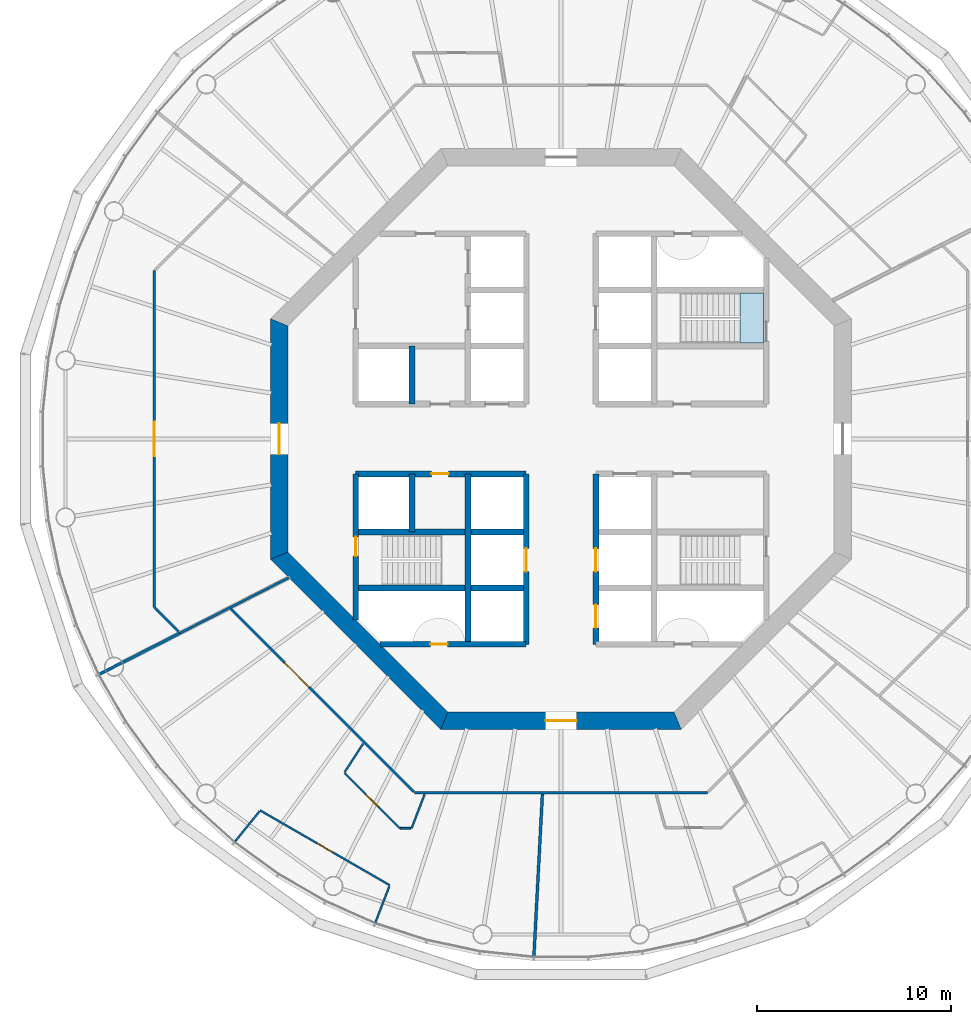
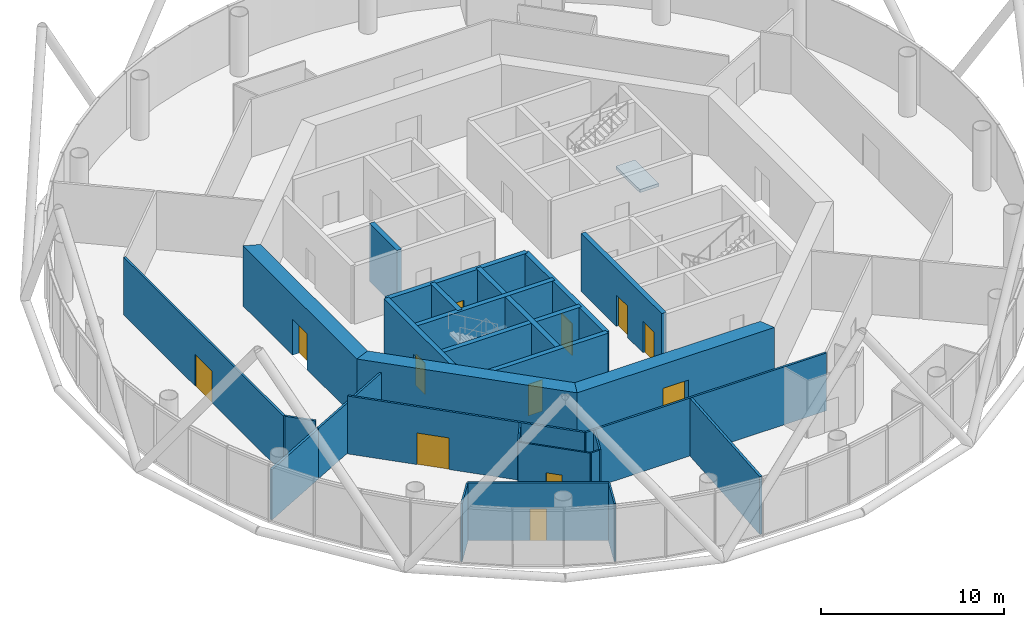
# One storey, part 3 of 13: 27 walls, 12 doors, 1 slab, 12 openings, 1 element without a shape of its own.
"""IFC4 building model written with IfcOpenShell, lengths in metres."""

from ifc_helpers import new_model, si_unit, direction, frame, frame_2d, origin, place, context, subcontext, project, spatial, polyline, rectangle, outline, extrude, material, layer, layer_set, type_object, element, fill, aggregate, save


model = new_model("IFC4")

# Units and contexts
model_context = context("Model", 3, precision=1e-05, world=origin(), true_north=direction((0.0, 1.0)))
body_context = subcontext(model_context, "Body", "Model", "MODEL_VIEW")
ifc_project = project(units=[si_unit("LENGTHUNIT", "METRE"), si_unit("AREAUNIT", "SQUARE_METRE"), si_unit("VOLUMEUNIT", "CUBIC_METRE"), si_unit("PLANEANGLEUNIT", "RADIAN"), si_unit("MASSUNIT", "GRAM", prefix="KILO")], contexts=[model_context])

# Site, building, storey
site_placement = place(None, origin())
site = spatial("IfcSite", under=ifc_project, at=site_placement, CompositionType="ELEMENT")
building_placement = place(site_placement, origin())
building = spatial("IfcBuilding", under=site, at=building_placement, Name="Entoto Ring Tower", CompositionType="ELEMENT")
storey_placement = place(building_placement, frame((0.0, 0.0, 250.0)))
storey = spatial("IfcBuildingStorey", under=building, at=storey_placement, Name="L57", CompositionType="ELEMENT", Elevation=250.0)

# Stair, slab
ifc_material_1 = material(Name="Concrete C40/50", Category="concrete")
stair_type = type_object("IfcStairType", Name="Exit stair 1200 mm dog-leg reinforced concrete", PredefinedType="HALF_TURN_STAIR", material=ifc_material_1)
stair_placement = place(storey_placement, origin())
stair = element("IfcStair", 1, at=stair_placement, inside=storey, type_object=stair_type, Name="Exit stair 1", PredefinedType="HALF_TURN_STAIR")
ifc_material_2 = material(Name="Concrete C40/50", Category="concrete")
ifc_layer_1 = layer(ifc_material_2, 0.199951171875)
ifc_layer_set_1 = layer_set([ifc_layer_1], Name="Concrete C40/50")
slab_type = type_object("IfcSlabType", Name="Stair landing 200 mm reinforced concrete", PredefinedType="LANDING", material=ifc_layer_set_1)
slab_placement = place(storey_placement, frame((0.0, 0.0, -0.199951171875)))
slab = element("IfcSlab", 2, at=slab_placement, type_object=slab_type, Name="ST1 landing 1", PredefinedType="LANDING", context=body_context, shape_type="SweptSolid", body=[
    extrude(outline(polyline([(100.449951171875, 84.949951171875), (100.449951171875, 87.550048828125), (99.25, 87.550048828125), (99.25, 84.949951171875), (100.449951171875, 84.949951171875)])), origin(), (0.0, 0.0, 1.0), 0.199951171875),
])
aggregate(stair, [slab])

# Wall, openings, doors
ifc_material_3 = material(Name="Concrete C40/50", Category="concrete")
ifc_layer_2 = layer(ifc_material_3, 0.300048828125)
ifc_layer_set_2 = layer_set([ifc_layer_2], Name="Concrete C40/50")
wall_type_1 = type_object("IfcWallType", Name="Core enclosure wall 300 mm reinforced concrete", PredefinedType="SOLIDWALL", material=ifc_layer_set_2)
wall_1_placement = place(storey_placement, frame((91.800048828125, 69.39990234375, 0.0), z_axis=(0.0, 0.0, 1.0), x_axis=(0.0, 1.0, 0.0)))
wall_1 = element("IfcWall", 3, at=wall_1_placement, inside=storey, type_object=wall_type_1, Name="wall-L57-005", PredefinedType="SOLIDWALL", context=body_context, shape_type="SweptSolid", body=[
    extrude(rectangle(XDim=8.800048828125, YDim=0.300048828125, at=frame_2d((4.39990234375, 0.0))), origin(), (0.0, 0.0, 1.0), 3.85009765625),
])
opening_1_placement = place(wall_1_placement, frame((3.75, 0.0, 0.0)))
opening_1 = element("IfcOpeningElement", 4, at=opening_1_placement, cuts=wall_1, Name="Opening LD", PredefinedType="OPENING", context=body_context, shape_type="SweptSolid", body=[
    extrude(rectangle(XDim=1.199951171875, YDim=2.10009765625, at=frame_2d((0.60009765625, 1.050048828125))), frame((0.0, 0.16015625, 0.0), z_axis=(0.0, -1.0, 0.0), x_axis=(1.0, 0.0, 0.0)), (0.0, 0.0, 1.0), 0.320068359375),
])
opening_2_placement = place(wall_1_placement, frame((0.85009765625, 0.0, 0.0)))
opening_2 = element("IfcOpeningElement", 5, at=opening_2_placement, cuts=wall_1, Name="Opening LD", PredefinedType="OPENING", context=body_context, shape_type="SweptSolid", body=[
    extrude(rectangle(XDim=1.199951171875, YDim=2.10009765625, at=frame_2d((0.60009765625, 1.050048828125))), frame((0.0, 0.16015625, 0.0), z_axis=(0.0, -1.0, 0.0), x_axis=(1.0, 0.0, 0.0)), (0.0, 0.0, 1.0), 0.320068359375),
])
ifc_material_4 = material(Name="Steel and glass door leaf", Category="steel")
ifc_layer_3 = layer(ifc_material_4, 0.050048828125)
ifc_layer_set_3 = layer_set([ifc_layer_3], Name="Steel and glass door leaf")
door_type_1 = type_object("IfcDoorType", Name="Landing door 1200 x 2100 sliding", OperationType="DOUBLE_DOOR_SLIDING", PredefinedType="DOOR", material=ifc_layer_set_3)
door_1_placement = place(opening_1_placement, origin())
door_1 = element("IfcDoor", 6, at=door_1_placement, inside=storey, type_object=door_type_1, Name="Landing door LB2-MR", OperationType="SLIDING_TO_RIGHT", OverallHeight=2.10009765625, OverallWidth=1.199951171875, PredefinedType="DOOR", context=body_context, shape_type="SweptSolid", body=[
    extrude(rectangle(XDim=1.199951171875, YDim=2.10009765625, at=frame_2d((0.60009765625, 1.050048828125))), frame((0.0, 0.02490234375, 0.0), z_axis=(0.0, -1.0, 0.0), x_axis=(1.0, 0.0, 0.0)), (0.0, 0.0, 1.0), 0.050048828125),
])
fill(opening_1, door_1)
door_2_placement = place(opening_2_placement, origin())
door_2 = element("IfcDoor", 7, at=door_2_placement, inside=storey, type_object=door_type_1, Name="Landing door LB3-MR", OperationType="SLIDING_TO_RIGHT", OverallHeight=2.10009765625, OverallWidth=1.199951171875, PredefinedType="DOOR", context=body_context, shape_type="SweptSolid", body=[
    extrude(rectangle(XDim=1.199951171875, YDim=2.10009765625, at=frame_2d((0.60009765625, 1.050048828125))), frame((0.0, 0.02490234375, 0.0), z_axis=(0.0, -1.0, 0.0), x_axis=(1.0, 0.0, 0.0)), (0.0, 0.0, 1.0), 0.050048828125),
])
fill(opening_2, door_2)

# Wall, opening, door
wall_2_placement = place(storey_placement, frame((88.199951171875, 69.39990234375, 0.0), z_axis=(0.0, 0.0, 1.0), x_axis=(0.0, 1.0, 0.0)))
wall_2 = element("IfcWall", 8, at=wall_2_placement, inside=storey, type_object=wall_type_1, Name="wall-L57-007", PredefinedType="SOLIDWALL", context=body_context, shape_type="SweptSolid", body=[
    extrude(rectangle(XDim=8.800048828125, YDim=0.300048828125, at=frame_2d((4.39990234375, 0.0))), origin(), (0.0, 0.0, 1.0), 3.85009765625),
])
opening_3_placement = place(wall_2_placement, frame((3.75, 0.0, 0.0)))
opening_3 = element("IfcOpeningElement", 9, at=opening_3_placement, cuts=wall_2, Name="Opening LD", PredefinedType="OPENING", context=body_context, shape_type="SweptSolid", body=[
    extrude(rectangle(XDim=1.199951171875, YDim=2.10009765625, at=frame_2d((0.60009765625, 1.050048828125))), frame((0.0, 0.16015625, 0.0), z_axis=(0.0, -1.0, 0.0), x_axis=(1.0, 0.0, 0.0)), (0.0, 0.0, 1.0), 0.320068359375),
])
door_3_placement = place(opening_3_placement, origin())
door_3 = element("IfcDoor", 10, at=door_3_placement, inside=storey, type_object=door_type_1, Name="Landing door LB4-MR", OperationType="SLIDING_TO_RIGHT", OverallHeight=2.10009765625, OverallWidth=1.199951171875, PredefinedType="DOOR", context=body_context, shape_type="SweptSolid", body=[
    extrude(rectangle(XDim=1.199951171875, YDim=2.10009765625, at=frame_2d((0.60009765625, 1.050048828125))), frame((0.0, 0.02490234375, 0.0), z_axis=(0.0, -1.0, 0.0), x_axis=(1.0, 0.0, 0.0)), (0.0, 0.0, 1.0), 0.050048828125),
])
fill(opening_3, door_3)

# Walls
wall_3_placement = place(storey_placement, frame((85.199951171875, 69.39990234375, 0.0), z_axis=(0.0, 0.0, 1.0), x_axis=(0.0, 1.0, 0.0)))
element("IfcWall", 11, at=wall_3_placement, inside=storey, type_object=wall_type_1, Name="wall-L57-009", PredefinedType="SOLIDWALL", context=body_context, shape_type="SweptSolid", body=[
    extrude(rectangle(XDim=8.800048828125, YDim=0.300048828125, at=frame_2d((4.39990234375, 0.0))), origin(), (0.0, 0.0, 1.0), 3.85009765625),
])
for number, where, z_axis, x_axis, name in (
    (12, (82.300048828125, 75.199951171875, 0.0), (0.0, 0.0, 1.0), (0.0, 1.0, 0.0), "wall-L57-011"),
    (13, (82.300048828125, 81.800048828125, 0.0), (0.0, 0.0, 1.0), (0.0, 1.0, 0.0), "wall-L57-012"),
):
    element("IfcWall", number, at=place(storey_placement, frame(where, z_axis=z_axis, x_axis=x_axis)), inside=storey, type_object=wall_type_1, Name=name, PredefinedType="SOLIDWALL", context=body_context, shape_type="SweptSolid", body=[
        extrude(rectangle(XDim=3.0, YDim=0.300048828125, at=frame_2d((1.5, 0.0))), origin(), (0.0, 0.0, 1.0), 3.85009765625),
    ])

# Wall, opening, door
wall_4_placement = place(storey_placement, frame((79.39990234375, 70.65966796875, 0.0), z_axis=(0.0, 0.0, 1.0), x_axis=(0.0, 1.0, 0.0)))
wall_4 = element("IfcWall", 14, at=wall_4_placement, inside=storey, type_object=wall_type_1, Name="wall-L57-013", PredefinedType="SOLIDWALL", context=body_context, shape_type="SweptSolid", body=[
    extrude(rectangle(XDim=7.540283203125, YDim=0.300048828125, at=frame_2d((3.77001953125, 0.0))), origin(), (0.0, 0.0, 1.0), 3.85009765625),
])
opening_4_placement = place(wall_4_placement, frame((3.290283203125, 0.0, 0.0)))
opening_4 = element("IfcOpeningElement", 15, at=opening_4_placement, cuts=wall_4, Name="Opening K-55", PredefinedType="OPENING", context=body_context, shape_type="SweptSolid", body=[
    extrude(rectangle(XDim=1.0, YDim=2.10009765625, at=frame_2d((0.5, 1.050048828125))), frame((0.0, 0.16015625, 0.0), z_axis=(0.0, -1.0, 0.0), x_axis=(1.0, 0.0, 0.0)), (0.0, 0.0, 1.0), 0.320068359375),
])
ifc_material_5 = material(Name="Steel door leaf, fire rated", Category="steel")
ifc_layer_4 = layer(ifc_material_5, 0.050048828125)
ifc_layer_set_4 = layer_set([ifc_layer_4], Name="Steel door leaf, fire rated")
door_type_2 = type_object("IfcDoorType", Name="Fire door FD60 1000 x 2100 single leaf", OperationType="NOTDEFINED", PredefinedType="DOOR", material=ifc_layer_set_4)
door_4_placement = place(opening_4_placement, frame((1.0, 0.0, 0.0), z_axis=(0.0, 0.0, 1.0), x_axis=(-1.0, 0.0, 0.0)))
door_4 = element("IfcDoor", 16, at=door_4_placement, inside=storey, type_object=door_type_2, Name="Door K-55", OperationType="SINGLE_SWING_LEFT", OverallHeight=2.10009765625, OverallWidth=1.0, PredefinedType="DOOR", context=body_context, shape_type="SweptSolid", body=[
    extrude(rectangle(XDim=1.0, YDim=2.10009765625, at=frame_2d((0.5, 1.050048828125))), frame((0.0, 0.02490234375, 0.0), z_axis=(0.0, -1.0, 0.0), x_axis=(1.0, 0.0, 0.0)), (0.0, 0.0, 1.0), 0.050048828125),
])
fill(opening_4, door_4)

wall_5_placement = place(storey_placement, frame((80.65966796875, 69.39990234375, 0.0), z_axis=(0.0, 0.0, 1.0), x_axis=(1.0, 0.0, 0.0)))
wall_5 = element("IfcWall", 17, at=wall_5_placement, inside=storey, type_object=wall_type_1, Name="wall-L57-015", PredefinedType="SOLIDWALL", context=body_context, shape_type="SweptSolid", body=[
    extrude(rectangle(XDim=7.540283203125, YDim=0.300048828125, at=frame_2d((3.77001953125, 0.0))), origin(), (0.0, 0.0, 1.0), 3.85009765625),
])
opening_5_placement = place(wall_5_placement, frame((2.59033203125, 0.0, 0.0)))
opening_5 = element("IfcOpeningElement", 18, at=opening_5_placement, cuts=wall_5, Name="Opening K-62", PredefinedType="OPENING", context=body_context, shape_type="SweptSolid", body=[
    extrude(rectangle(XDim=0.89990234375, YDim=2.10009765625, at=frame_2d((0.449951171875, 1.050048828125))), frame((0.0, 0.16015625, 0.0), z_axis=(0.0, -1.0, 0.0), x_axis=(1.0, 0.0, 0.0)), (0.0, 0.0, 1.0), 0.320068359375),
])
ifc_material_6 = material(Name="Steel door leaf, fire rated", Category="steel")
ifc_layer_5 = layer(ifc_material_6, 0.050048828125)
ifc_layer_set_5 = layer_set([ifc_layer_5], Name="Steel door leaf, fire rated")
door_type_3 = type_object("IfcDoorType", Name="Riser door FD60 900 x 2100 single leaf", OperationType="NOTDEFINED", PredefinedType="DOOR", material=ifc_layer_set_5)
door_5_placement = place(opening_5_placement, origin())
door_5 = element("IfcDoor", 19, at=door_5_placement, inside=storey, type_object=door_type_3, Name="Door K-62", OperationType="SINGLE_SWING_RIGHT", OverallHeight=2.10009765625, OverallWidth=0.89990234375, PredefinedType="DOOR", context=body_context, shape_type="SweptSolid", body=[
    extrude(rectangle(XDim=0.89990234375, YDim=2.10009765625, at=frame_2d((0.449951171875, 1.050048828125))), frame((0.0, 0.02490234375, 0.0), z_axis=(0.0, -1.0, 0.0), x_axis=(1.0, 0.0, 0.0)), (0.0, 0.0, 1.0), 0.050048828125),
])
fill(opening_5, door_5)

# Walls
for number, where, z_axis, x_axis, name in (
    (20, (79.39990234375, 72.300048828125, 0.0), (0.0, 0.0, 1.0), (1.0, 0.0, 0.0), "wall-L57-017"),
    (21, (79.39990234375, 75.199951171875, 0.0), (0.0, 0.0, 1.0), (1.0, 0.0, 0.0), "wall-L57-019"),
):
    element("IfcWall", number, at=place(storey_placement, frame(where, z_axis=z_axis, x_axis=x_axis)), inside=storey, type_object=wall_type_1, Name=name, PredefinedType="SOLIDWALL", context=body_context, shape_type="SweptSolid", body=[
        extrude(rectangle(XDim=8.800048828125, YDim=0.300048828125, at=frame_2d((4.39990234375, 0.0))), origin(), (0.0, 0.0, 1.0), 3.85009765625),
    ])

# Wall, opening, door
wall_6_placement = place(storey_placement, frame((79.39990234375, 78.199951171875, 0.0), z_axis=(0.0, 0.0, 1.0), x_axis=(1.0, 0.0, 0.0)))
wall_6 = element("IfcWall", 22, at=wall_6_placement, inside=storey, type_object=wall_type_1, Name="wall-L57-021", PredefinedType="SOLIDWALL", context=body_context, shape_type="SweptSolid", body=[
    extrude(rectangle(XDim=8.800048828125, YDim=0.300048828125, at=frame_2d((4.39990234375, 0.0))), origin(), (0.0, 0.0, 1.0), 3.85009765625),
])
opening_6_placement = place(wall_6_placement, frame((3.89990234375, 0.0, 0.0)))
opening_6 = element("IfcOpeningElement", 23, at=opening_6_placement, cuts=wall_6, Name="Opening K-14", PredefinedType="OPENING", context=body_context, shape_type="SweptSolid", body=[
    extrude(rectangle(XDim=0.89990234375, YDim=2.10009765625, at=frame_2d((0.449951171875, 1.050048828125))), frame((0.0, 0.16015625, 0.0), z_axis=(0.0, -1.0, 0.0), x_axis=(1.0, 0.0, 0.0)), (0.0, 0.0, 1.0), 0.320068359375),
])
ifc_material_7 = material(Name="Steel door leaf, fire rated", Category="steel")
ifc_layer_6 = layer(ifc_material_7, 0.050048828125)
ifc_layer_set_6 = layer_set([ifc_layer_6], Name="Steel door leaf, fire rated")
door_type_4 = type_object("IfcDoorType", Name="Core door 900 x 2100 single leaf", OperationType="NOTDEFINED", PredefinedType="DOOR", material=ifc_layer_set_6)
door_6_placement = place(opening_6_placement, frame((0.89990234375, 0.0, 0.0), z_axis=(0.0, 0.0, 1.0), x_axis=(-1.0, 0.0, 0.0)))
door_6 = element("IfcDoor", 24, at=door_6_placement, inside=storey, type_object=door_type_4, Name="Door K-14", OperationType="SINGLE_SWING_LEFT", OverallHeight=2.10009765625, OverallWidth=0.89990234375, PredefinedType="DOOR", context=body_context, shape_type="SweptSolid", body=[
    extrude(rectangle(XDim=0.89990234375, YDim=2.10009765625, at=frame_2d((0.449951171875, 1.050048828125))), frame((0.0, 0.02490234375, 0.0), z_axis=(0.0, -1.0, 0.0), x_axis=(1.0, 0.0, 0.0)), (0.0, 0.0, 1.0), 0.050048828125),
])
fill(opening_6, door_6)

ifc_material_8 = material(Name="Concrete C50/60", Category="concrete")
ifc_layer_7 = layer(ifc_material_8, 0.89990234375)
ifc_layer_set_7 = layer_set([ifc_layer_7], Name="Concrete C50/60")
wall_type_2 = type_object("IfcWallType", Name="Core shear wall 900 mm reinforced concrete C50/60", PredefinedType="SHEAR", material=ifc_layer_set_7)
wall_7_placement = place(storey_placement, frame((75.449951171875, 86.02685546875, 0.0), z_axis=(0.0, 0.0, 1.0), x_axis=(0.0, -1.0, 0.0)))
wall_7 = element("IfcWall", 25, at=wall_7_placement, inside=storey, type_object=wall_type_2, Name="wall-L57-core-4", PredefinedType="SHEAR", context=body_context, shape_type="SweptSolid", body=[
    extrude(outline(polyline([(-0.186279296875, -0.449951171875), (12.239990234375, -0.449951171875), (11.867431640625, 0.449951171875), (0.186279296875, 0.449951171875), (-0.186279296875, -0.449951171875)])), origin(), (0.0, 0.0, 1.0), 4.0),
])
opening_7_placement = place(wall_7_placement, frame((5.226806640625, 0.0, 0.0)))
opening_7 = element("IfcOpeningElement", 26, at=opening_7_placement, cuts=wall_7, Name="Opening K-03", PredefinedType="OPENING", context=body_context, shape_type="SweptSolid", body=[
    extrude(rectangle(XDim=1.60009765625, YDim=2.39990234375, at=frame_2d((0.800048828125, 1.199951171875))), frame((0.0, 0.4599609375, 0.0), z_axis=(0.0, -1.0, 0.0), x_axis=(1.0, 0.0, 0.0)), (0.0, 0.0, 1.0), 0.919921875),
])
ifc_material_9 = material(Name="Steel door leaf, fire rated", Category="steel")
ifc_layer_8 = layer(ifc_material_9, 0.050048828125)
ifc_layer_set_8 = layer_set([ifc_layer_8], Name="Steel door leaf, fire rated")
door_type_5 = type_object("IfcDoorType", Name="Entrance door FD60 1600 x 2400 double leaf", OperationType="DOUBLE_DOOR_SINGLE_SWING", PredefinedType="DOOR", material=ifc_layer_set_8)
door_7_placement = place(opening_7_placement, origin())
door_7 = element("IfcDoor", 27, at=door_7_placement, inside=storey, type_object=door_type_5, Name="Entrance door K-03", OperationType="DOUBLE_DOOR_SINGLE_SWING", OverallHeight=2.39990234375, OverallWidth=1.60009765625, PredefinedType="DOOR", context=body_context, shape_type="SweptSolid", body=[
    extrude(rectangle(XDim=1.60009765625, YDim=2.39990234375, at=frame_2d((0.800048828125, 1.199951171875))), frame((0.0, 0.02490234375, 0.0), z_axis=(0.0, -1.0, 0.0), x_axis=(1.0, 0.0, 0.0)), (0.0, 0.0, 1.0), 0.050048828125),
])
fill(opening_7, door_7)

# Wall
wall_8_placement = place(storey_placement, frame((75.449951171875, 73.97314453125, 0.0), z_axis=(0.0, 0.0, 1.0), x_axis=(0.707106781187, -0.707106781187, 0.0)))
element("IfcWall", 28, at=wall_8_placement, inside=storey, type_object=wall_type_2, Name="wall-L57-core-5", PredefinedType="SHEAR", context=body_context, shape_type="SweptSolid", body=[
    extrude(outline(polyline([(-0.186279296875, -0.449951171875), (12.239990234375, -0.449951171875), (11.867431640625, 0.449951171875), (0.186279296875, 0.449951171875), (-0.186279296875, -0.449951171875)])), origin(), (0.0, 0.0, 1.0), 4.0),
])

# Wall, opening, door
wall_9_placement = place(storey_placement, frame((83.97314453125, 65.449951171875, 0.0), z_axis=(0.0, 0.0, 1.0), x_axis=(1.0, 0.0, 0.0)))
wall_9 = element("IfcWall", 29, at=wall_9_placement, inside=storey, type_object=wall_type_2, Name="wall-L57-core-6", PredefinedType="SHEAR", context=body_context, shape_type="SweptSolid", body=[
    extrude(outline(polyline([(-0.186279296875, -0.449951171875), (12.239990234375, -0.449951171875), (11.867431640625, 0.449951171875), (0.186279296875, 0.449951171875), (-0.186279296875, -0.449951171875)])), origin(), (0.0, 0.0, 1.0), 4.0),
])
opening_8_placement = place(wall_9_placement, frame((5.226806640625, 0.0, 0.0)))
opening_8 = element("IfcOpeningElement", 30, at=opening_8_placement, cuts=wall_9, Name="Opening K-04", PredefinedType="OPENING", context=body_context, shape_type="SweptSolid", body=[
    extrude(rectangle(XDim=1.60009765625, YDim=2.39990234375, at=frame_2d((0.800048828125, 1.199951171875))), frame((0.0, 0.4599609375, 0.0), z_axis=(0.0, -1.0, 0.0), x_axis=(1.0, 0.0, 0.0)), (0.0, 0.0, 1.0), 0.919921875),
])
door_8_placement = place(opening_8_placement, origin())
door_8 = element("IfcDoor", 31, at=door_8_placement, inside=storey, type_object=door_type_5, Name="Entrance door K-04", OperationType="DOUBLE_DOOR_SINGLE_SWING", OverallHeight=2.39990234375, OverallWidth=1.60009765625, PredefinedType="DOOR", context=body_context, shape_type="SweptSolid", body=[
    extrude(rectangle(XDim=1.60009765625, YDim=2.39990234375, at=frame_2d((0.800048828125, 1.199951171875))), frame((0.0, 0.02490234375, 0.0), z_axis=(0.0, -1.0, 0.0), x_axis=(1.0, 0.0, 0.0)), (0.0, 0.0, 1.0), 0.050048828125),
])
fill(opening_8, door_8)

ifc_material_10 = material(Name="Fire-resisting plasterboard on steel studs", Category="steel")
ifc_layer_9 = layer(ifc_material_10, 0.125)
ifc_layer_set_9 = layer_set([ifc_layer_9], Name="Fire-resisting plasterboard on steel studs")
wall_type_3 = type_object("IfcWallType", Name="Corridor wall 125 mm one-hour plasterboard on steel studs", PredefinedType="PARTITIONING", material=ifc_layer_set_9)
wall_10_placement = place(storey_placement, frame((69.0, 71.301513671875, 0.0), z_axis=(0.0, 0.0, 1.0), x_axis=(0.0, 1.0, 0.0)))
wall_10 = element("IfcWall", 32, at=wall_10_placement, inside=storey, type_object=wall_type_3, Name="partition-L57-001", PredefinedType="PARTITIONING", context=body_context, shape_type="SweptSolid", body=[
    extrude(rectangle(XDim=17.39697265625, YDim=0.125, at=frame_2d((8.698486328125, 0.0))), origin(), (0.0, 0.0, 1.0), 3.85009765625),
])
opening_9_placement = place(wall_10_placement, frame((7.798583984375, 0.0, 0.0)))
opening_9 = element("IfcOpeningElement", 33, at=opening_9_placement, cuts=wall_10, Name="Opening A25-D02", PredefinedType="OPENING", context=body_context, shape_type="SweptSolid", body=[
    extrude(rectangle(XDim=1.800048828125, YDim=2.10009765625, at=frame_2d((0.89990234375, 1.050048828125))), frame((0.0, 0.072509765625, 0.0), z_axis=(0.0, -1.0, 0.0), x_axis=(1.0, 0.0, 0.0)), (0.0, 0.0, 1.0), 0.14501953125),
])
ifc_material_11 = material(Name="Fire-resisting timber door set", Category="wood")
door_type_6 = type_object("IfcDoorType", Name="Door 1800 x 2100 double leaf FD30S fire door", OperationType="DOUBLE_DOOR_SINGLE_SWING", PredefinedType="DOOR", material=ifc_material_11)
door_9_placement = place(opening_9_placement, origin())
door_9 = element("IfcDoor", 34, at=door_9_placement, inside=storey, type_object=door_type_6, Name="Door A25-D02", OperationType="DOUBLE_DOOR_SINGLE_SWING", OverallHeight=2.10009765625, OverallWidth=1.800048828125, PredefinedType="DOOR", context=body_context, shape_type="SweptSolid", body=[
    extrude(rectangle(XDim=1.800048828125, YDim=2.10009765625, at=frame_2d((0.89990234375, 1.050048828125))), frame((0.0, 0.02490234375, 0.0), z_axis=(0.0, -1.0, 0.0), x_axis=(1.0, 0.0, 0.0)), (0.0, 0.0, 1.0), 0.050048828125),
])
fill(opening_9, door_9)

# Wall
wall_11_placement = place(storey_placement, frame((82.435302734375, 61.737548828125, 0.0), z_axis=(0.0, 0.0, 1.0), x_axis=(1.0, 0.0, 0.0)))
element("IfcWall", 35, at=wall_11_placement, inside=storey, type_object=wall_type_3, Name="partition-L57-003", PredefinedType="PARTITIONING", context=body_context, shape_type="SweptSolid", body=[
    extrude(rectangle(XDim=15.12939453125, YDim=0.125, at=frame_2d((7.564697265625, 0.0))), origin(), (0.0, 0.0, 1.0), 3.85009765625),
])

# Wall, opening, door
wall_12_placement = place(storey_placement, frame((82.404296875, 61.7685546875, 0.0), z_axis=(0.0, 0.0, 1.0), x_axis=(-0.707097649982, 0.707115912273, 0.0)))
wall_12 = element("IfcWall", 36, at=wall_12_placement, inside=storey, type_object=wall_type_3, Name="partition-L57-005", PredefinedType="PARTITIONING", context=body_context, shape_type="SweptSolid", body=[
    extrude(rectangle(XDim=13.36865234375, YDim=0.125, at=frame_2d((6.684326171875, 0.0))), origin(), (0.0, 0.0, 1.0), 3.85009765625),
])
opening_10_placement = place(wall_12_placement, frame((7.646484375, 0.0, 0.0)))
opening_10 = element("IfcOpeningElement", 37, at=opening_10_placement, cuts=wall_12, Name="Opening A25-D08", PredefinedType="OPENING", context=body_context, shape_type="SweptSolid", body=[
    extrude(rectangle(XDim=1.800048828125, YDim=2.10009765625, at=frame_2d((0.89990234375, 1.050048828125))), frame((0.0, 0.072509765625, 0.0), z_axis=(0.0, -1.0, 0.0), x_axis=(1.0, 0.0, 0.0)), (0.0, 0.0, 1.0), 0.14501953125),
])
door_10_placement = place(opening_10_placement, origin())
door_10 = element("IfcDoor", 38, at=door_10_placement, inside=storey, type_object=door_type_6, Name="Door A25-D08", OperationType="DOUBLE_DOOR_SINGLE_SWING", OverallHeight=2.10009765625, OverallWidth=1.800048828125, PredefinedType="DOOR", context=body_context, shape_type="SweptSolid", body=[
    extrude(rectangle(XDim=1.800048828125, YDim=2.10009765625, at=frame_2d((0.89990234375, 1.050048828125))), frame((0.0, 0.02490234375, 0.0), z_axis=(0.0, -1.0, 0.0), x_axis=(1.0, 0.0, 0.0)), (0.0, 0.0, 1.0), 0.050048828125),
])
fill(opening_10, door_10)

# Walls
wall_13_placement = place(storey_placement, frame((70.255859375, 70.045654296875, 0.0), z_axis=(0.0, 0.0, 1.0), x_axis=(-0.707106781187, 0.707106781187, 0.0)))
element("IfcWall", 39, at=wall_13_placement, inside=storey, type_object=wall_type_3, Name="partition-L57-015", PredefinedType="PARTITIONING", context=body_context, shape_type="SweptSolid", body=[
    extrude(rectangle(XDim=1.732177734375, YDim=0.125, at=frame_2d((0.8662109375, 0.0))), origin(), (0.0, 0.0, 1.0), 3.85009765625),
])
ifc_material_12 = material(Name="Fire-resisting plasterboard on steel studs", Category="steel")
ifc_layer_10 = layer(ifc_material_12, 0.125)
ifc_layer_set_10 = layer_set([ifc_layer_10], Name="Fire-resisting plasterboard on steel studs")
wall_type_4 = type_object("IfcWallType", Name="Corridor wall 125 mm one-hour plasterboard on steel studs, 3350 mm high", PredefinedType="PARTITIONING", material=ifc_layer_set_10)
wall_14_placement = place(storey_placement, frame((70.325927734375, 69.9755859375, 0.0), z_axis=(0.0, 0.0, 1.0), x_axis=(0.891011438751, 0.453980854238, 0.0)))
element("IfcWall", 40, at=wall_14_placement, inside=storey, type_object=wall_type_4, Name="partition-L57-012", PredefinedType="PARTITIONING", context=body_context, shape_type="SweptSolid", body=[
    extrude(rectangle(XDim=6.30859375, YDim=0.125, at=frame_2d((3.154296875, 0.0))), origin(), (0.0, 0.0, 1.0), 3.35009765625),
])

# Wall, opening, door
ifc_material_13 = material(Name="Plasterboard on steel studs", Category="steel")
ifc_layer_11 = layer(ifc_material_13, 0.10009765625)
ifc_layer_set_11 = layer_set([ifc_layer_11], Name="Plasterboard on steel studs")
wall_type_5 = type_object("IfcWallType", Name="Partition 100 mm plasterboard on steel studs", PredefinedType="PARTITIONING", material=ifc_layer_set_11)
wall_15_placement = place(storey_placement, frame((81.155517578125, 56.959228515625, 0.0), z_axis=(0.0, 0.0, 1.0), x_axis=(-0.866020254168, 0.500008919292, 0.0)))
wall_15 = element("IfcWall", 41, at=wall_15_placement, inside=storey, type_object=wall_type_5, Name="partition-L57-022", PredefinedType="PARTITIONING", context=body_context, shape_type="SweptSolid", body=[
    extrude(rectangle(XDim=7.721435546875, YDim=0.10009765625, at=frame_2d((3.86083984375, 0.0))), origin(), (0.0, 0.0, 1.0), 3.85009765625),
])
opening_11_placement = place(wall_15_placement, frame((3.410888671875, 0.0, 0.0)))
opening_11 = element("IfcOpeningElement", 42, at=opening_11_placement, cuts=wall_15, Name="Opening A25-D10", PredefinedType="OPENING", context=body_context, shape_type="SweptSolid", body=[
    extrude(rectangle(XDim=0.89990234375, YDim=2.10009765625, at=frame_2d((0.449951171875, 1.050048828125))), frame((0.0, 0.06005859375, 0.0), z_axis=(0.0, -1.0, 0.0), x_axis=(1.0, 0.0, 0.0)), (0.0, 0.0, 1.0), 0.1201171875),
])
ifc_material_14 = material(Name="Veneered timber door leaf in timber frame", Category="wood")
door_type_7 = type_object("IfcDoorType", Name="Door 900 x 2100 single leaf timber veneer", OperationType="NOTDEFINED", PredefinedType="DOOR", material=ifc_material_14)
door_11_placement = place(opening_11_placement, origin())
door_11 = element("IfcDoor", 43, at=door_11_placement, inside=storey, type_object=door_type_7, Name="Door A25-D10", OperationType="SINGLE_SWING_LEFT", OverallHeight=2.10009765625, OverallWidth=0.89990234375, PredefinedType="DOOR", context=body_context, shape_type="SweptSolid", body=[
    extrude(rectangle(XDim=0.89990234375, YDim=2.10009765625, at=frame_2d((0.449951171875, 1.050048828125))), frame((0.0, 0.02490234375, 0.0), z_axis=(0.0, -1.0, 0.0), x_axis=(1.0, 0.0, 0.0)), (0.0, 0.0, 1.0), 0.050048828125),
])
fill(opening_11, door_11)

wall_16_placement = place(storey_placement, frame((81.67333984375, 59.8974609375, 0.0), z_axis=(0.0, 0.0, 1.0), x_axis=(-0.707106781187, 0.707106781187, 0.0)))
wall_16 = element("IfcWall", 44, at=wall_16_placement, inside=storey, type_object=wall_type_5, Name="partition-L57-027", PredefinedType="PARTITIONING", context=body_context, shape_type="SweptSolid", body=[
    extrude(rectangle(XDim=4.0537109375, YDim=0.10009765625, at=frame_2d((2.02685546875, 0.0))), origin(), (0.0, 0.0, 1.0), 3.85009765625),
])
opening_12_placement = place(wall_16_placement, frame((1.576904296875, 0.0, 0.0)))
opening_12 = element("IfcOpeningElement", 45, at=opening_12_placement, cuts=wall_16, Name="Opening A25-D09", PredefinedType="OPENING", context=body_context, shape_type="SweptSolid", body=[
    extrude(rectangle(XDim=0.89990234375, YDim=2.10009765625, at=frame_2d((0.449951171875, 1.050048828125))), frame((0.0, 0.06005859375, 0.0), z_axis=(0.0, -1.0, 0.0), x_axis=(1.0, 0.0, 0.0)), (0.0, 0.0, 1.0), 0.1201171875),
])
door_12_placement = place(opening_12_placement, frame((0.89990234375, 0.0, 0.0), z_axis=(0.0, 0.0, 1.0), x_axis=(-1.0, 0.0, 0.0)))
door_12 = element("IfcDoor", 46, at=door_12_placement, inside=storey, type_object=door_type_7, Name="Door A25-D09", OperationType="SINGLE_SWING_LEFT", OverallHeight=2.10009765625, OverallWidth=0.89990234375, PredefinedType="DOOR", context=body_context, shape_type="SweptSolid", body=[
    extrude(rectangle(XDim=0.89990234375, YDim=2.10009765625, at=frame_2d((0.449951171875, 1.050048828125))), frame((0.0, 0.02490234375, 0.0), z_axis=(0.0, -1.0, 0.0), x_axis=(1.0, 0.0, 0.0)), (0.0, 0.0, 1.0), 0.050048828125),
])
fill(opening_12, door_12)

# Walls
wall_17_placement = place(storey_placement, frame((80.417236328125, 55.0361328125, 0.0), z_axis=(0.0, 0.0, 1.0), x_axis=(0.358352422811, 0.933586386504, 0.0)))
element("IfcWall", 47, at=wall_17_placement, inside=storey, type_object=wall_type_5, Name="partition-L57-029", PredefinedType="PARTITIONING", context=body_context, shape_type="SweptSolid", body=[
    extrude(rectangle(XDim=2.010498046875, YDim=0.10009765625, at=frame_2d((1.00537109375, 0.0))), origin(), (0.0, 0.0, 1.0), 3.85009765625),
])
wall_18_placement = place(storey_placement, frame((73.172119140625, 59.218994140625, 0.0), z_axis=(0.0, 0.0, 1.0), x_axis=(0.629215693509, 0.777230732178, 0.0)))
element("IfcWall", 48, at=wall_18_placement, inside=storey, type_object=wall_type_5, Name="partition-L57-030", PredefinedType="PARTITIONING", context=body_context, shape_type="SweptSolid", body=[
    extrude(rectangle(XDim=2.0107421875, YDim=0.10009765625, at=frame_2d((1.00537109375, 0.0))), origin(), (0.0, 0.0, 1.0), 3.85009765625),
])
wall_19_placement = place(storey_placement, frame((82.283447265625, 59.8974609375, 0.0), z_axis=(0.0, 0.0, 1.0), x_axis=(0.358380145155, 0.93357574495, 0.0)))
element("IfcWall", 49, at=wall_19_placement, inside=storey, type_object=wall_type_5, Name="partition-L57-031", PredefinedType="PARTITIONING", context=body_context, shape_type="SweptSolid", body=[
    extrude(rectangle(XDim=1.885009765625, YDim=0.10009765625, at=frame_2d((0.9423828125, 0.0))), origin(), (0.0, 0.0, 1.0), 3.85009765625),
])
wall_20_placement = place(storey_placement, frame((78.83349609375, 62.804931640625, 0.0), z_axis=(0.0, 0.0, 1.0), x_axis=(0.544563574354, 0.838719567846, 0.0)))
element("IfcWall", 50, at=wall_20_placement, inside=storey, type_object=wall_type_5, Name="partition-L57-037", PredefinedType="PARTITIONING", context=body_context, shape_type="SweptSolid", body=[
    extrude(rectangle(XDim=1.7578125, YDim=0.10009765625, at=frame_2d((0.87890625, 0.0))), origin(), (0.0, 0.0, 1.0), 3.85009765625),
])
wall_21_placement = place(storey_placement, frame((81.70849609375, 59.8974609375, 0.0), z_axis=(0.0, 0.0, 1.0), x_axis=(1.0, 0.0, 0.0)))
element("IfcWall", 51, at=wall_21_placement, inside=storey, type_object=wall_type_5, Name="partition-L57-044", PredefinedType="PARTITIONING", context=body_context, shape_type="SweptSolid", body=[
    extrude(rectangle(XDim=0.5283203125, YDim=0.10009765625, at=frame_2d((0.26416015625, 0.0))), origin(), (0.0, 0.0, 1.0), 3.85009765625),
])
ifc_material_15 = material(Name="Fire-resisting acoustic plasterboard on steel studs", Category="steel")
ifc_layer_12 = layer(ifc_material_15, 0.14990234375)
ifc_layer_set_12 = layer_set([ifc_layer_12], Name="Fire-resisting acoustic plasterboard on steel studs")
wall_type_6 = type_object("IfcWallType", Name="Party wall 150 mm one-hour acoustic plasterboard on steel studs", PredefinedType="PARTITIONING", material=ifc_layer_set_12)
wall_22_placement = place(storey_placement, frame((88.6005859375, 53.296630859375, 0.0), z_axis=(0.0, 0.0, 1.0), x_axis=(0.052315875597, 0.998630586934, 0.0)))
element("IfcWall", 52, at=wall_22_placement, inside=storey, type_object=wall_type_6, Name="partition-L57-017", PredefinedType="PARTITIONING", context=body_context, shape_type="SweptSolid", body=[
    extrude(rectangle(XDim=8.385986328125, YDim=0.14990234375, at=frame_2d((4.19287109375, 0.0))), origin(), (0.0, 0.0, 1.0), 3.85009765625),
])
ifc_material_16 = material(Name="Fire-resisting acoustic plasterboard on steel studs", Category="steel")
ifc_layer_13 = layer(ifc_material_16, 0.14990234375)
ifc_layer_set_13 = layer_set([ifc_layer_13], Name="Fire-resisting acoustic plasterboard on steel studs")
wall_type_7 = type_object("IfcWallType", Name="Party wall 150 mm one-hour acoustic plasterboard on steel studs, 3350 mm high", PredefinedType="PARTITIONING", material=ifc_layer_set_13)
wall_23_placement = place(storey_placement, frame((66.174560546875, 67.8603515625, 0.0), z_axis=(0.0, 0.0, 1.0), x_axis=(0.891005904056, 0.453991716816, 0.0)))
element("IfcWall", 53, at=wall_23_placement, inside=storey, type_object=wall_type_7, Name="partition-L57-021", PredefinedType="PARTITIONING", context=body_context, shape_type="SweptSolid", body=[
    extrude(rectangle(XDim=4.6591796875, YDim=0.14990234375, at=frame_2d((2.32958984375, 0.0))), origin(), (0.0, 0.0, 1.0), 3.35009765625),
])

save(model, "model.ifc")
